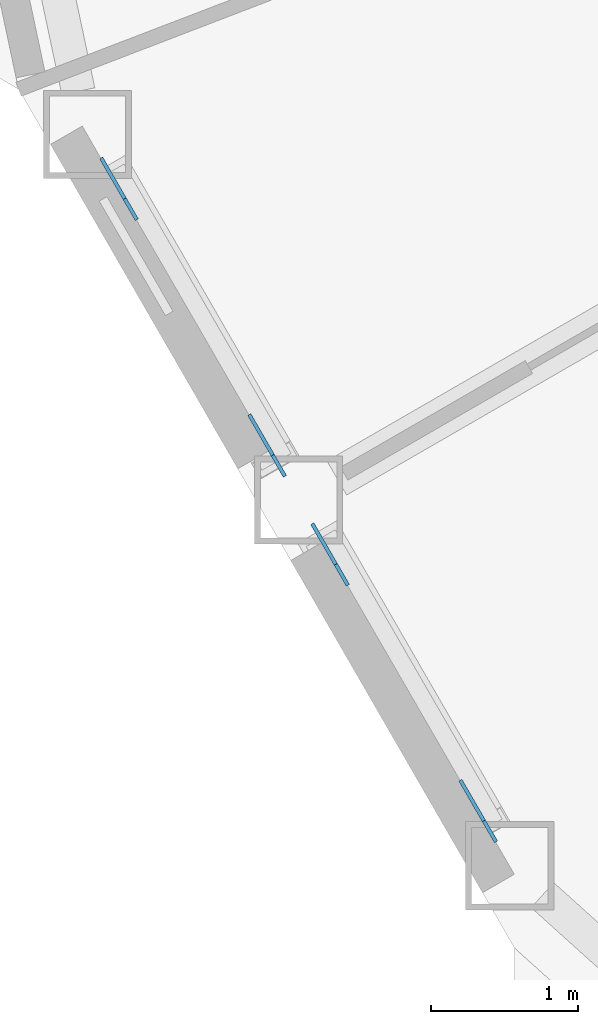
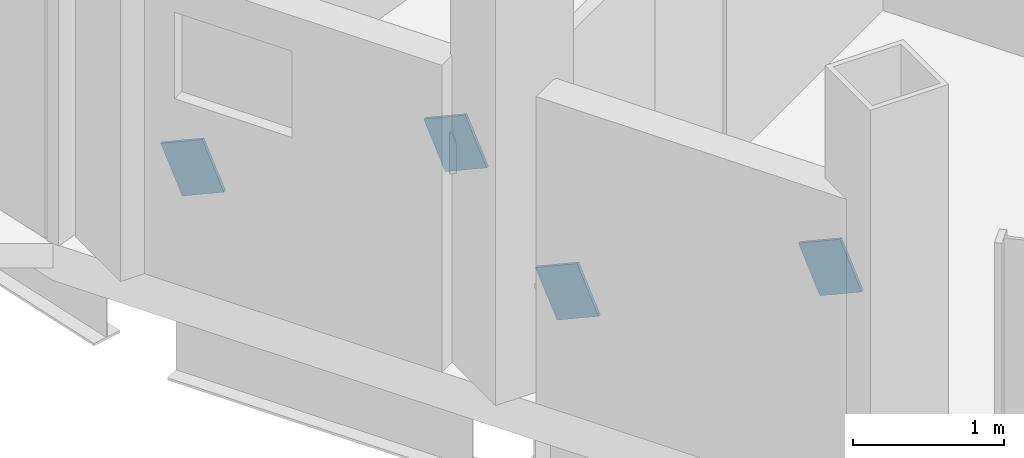
# One storey, part 20 of 27: 4 discrete accessories.
"""IFC4 building model written with IfcOpenShell, lengths in metres."""

import ifcopenshell
import ifcopenshell.guid

model = None  # the IFC model being written
_history = None  # IfcOwnerHistory: only IFC2X3 demands one
_inside = {}  # id of a spatial element -> (the spatial element, [elements in it])
_under = {}  # id of a project, library or spatial element -> (it, [spatial elements below it])
_declared = {}  # id of a project -> (the project, [libraries it declares])
_typed = {}  # id of a type object -> (the type object, [elements of that type])
_made_of = {}  # id of a material, layer set ... -> (it, [elements and type objects made of it])


def new_model(schema):
    """Start an empty IFC model of exactly this schema.

    Asked for "IFC4X3", IfcOpenShell would pick the latest addendum, in which some entities
    have other attributes; the version numbers below select the first issue.
    IFC2X3 requires an IfcOwnerHistory on every rooted entity: one is made here for all.
    """
    global model, _history
    if schema == "IFC4X3":
        model = ifcopenshell.file(schema_version=(4, 3, 0, 0))
    else:
        model = ifcopenshell.file(schema=schema)
    _inside.clear()
    _under.clear()
    _declared.clear()
    _typed.clear()
    _made_of.clear()
    _history = None
    if model.schema == "IFC2X3":
        org = make("IfcOrganization", Name="unknown")
        user = make(
            "IfcPersonAndOrganization",
            ThePerson=make("IfcPerson", FamilyName="unknown"),
            TheOrganization=org,
        )
        app = make(
            "IfcApplication",
            ApplicationDeveloper=org,
            Version="unknown",
            ApplicationFullName="unknown",
            ApplicationIdentifier="unknown",
        )
        _history = make(
            "IfcOwnerHistory",
            OwningUser=user,
            OwningApplication=app,
            ChangeAction="ADDED",
            CreationDate=0,
        )
    return model


def make(cls, **values):
    """One entity of the class cls with the attributes given. An attribute that is None is left unset."""
    return model.create_entity(
        cls, **{name: value for name, value in values.items() if value is not None}
    )


def rooted(cls, **values):
    """An entity with a GlobalId (a new one), such as an element, a storey or a relation."""
    return make(cls, GlobalId=ifcopenshell.guid.new(), OwnerHistory=_history, **values)


def si_unit(unit_type, name, prefix=None):
    """IfcSIUnit, for example si_unit("LENGTHUNIT", "METRE", prefix="MILLI")."""
    return make("IfcSIUnit", UnitType=unit_type, Prefix=prefix, Name=name)


def assignment(units):
    """IfcUnitAssignment: the units of a project."""
    return None if units is None else make("IfcUnitAssignment", Units=units)


def point(xyz):
    """IfcCartesianPoint."""
    return None if xyz is None else make("IfcCartesianPoint", Coordinates=xyz)


def direction(xyz):
    """IfcDirection."""
    return None if xyz is None else make("IfcDirection", DirectionRatios=xyz)


def frame(location, z_axis=None, x_axis=None):
    """IfcAxis2Placement3D, a coordinate frame: its origin and axes. An axis left out is left unset."""
    return make(
        "IfcAxis2Placement3D",
        Location=point(location),
        Axis=direction(z_axis),
        RefDirection=direction(x_axis),
    )


def frame_2d(location, x_axis=None):
    """IfcAxis2Placement2D, a coordinate frame in the plane: its origin and x axis."""
    return make(
        "IfcAxis2Placement2D", Location=point(location), RefDirection=direction(x_axis)
    )


def origin():
    """The frame at (0, 0, 0) with its axes left unset."""
    return frame((0.0, 0.0, 0.0))


def origin_2d():
    """The frame at (0, 0) in the plane with its x axis left unset."""
    return frame_2d((0.0, 0.0))


def place(relative_to, where):
    """IfcLocalPlacement: puts the frame where relative to a parent placement (None: the world)."""
    return make(
        "IfcLocalPlacement", PlacementRelTo=relative_to, RelativePlacement=where
    )


def context(
    kind, dimensions, precision=None, world=None, true_north=None, identifier=None
):
    """IfcGeometricRepresentationContext, for example the 3D "Model" context."""
    return make(
        "IfcGeometricRepresentationContext",
        ContextIdentifier=identifier,
        ContextType=kind,
        CoordinateSpaceDimension=dimensions,
        Precision=precision,
        WorldCoordinateSystem=world,
        TrueNorth=true_north,
    )


def subcontext(parent, identifier, kind, view, scale=None):
    """IfcGeometricRepresentationSubContext, for example "Body" below "Model"."""
    return make(
        "IfcGeometricRepresentationSubContext",
        ContextIdentifier=identifier,
        ContextType=kind,
        ParentContext=parent,
        TargetScale=scale,
        TargetView=view,
    )


def project(units=None, contexts=None):
    """IfcProject with its units and contexts."""
    return rooted(
        "IfcProject",
        Name="project",
        RepresentationContexts=contexts,
        UnitsInContext=assignment(units),
    )


def spatial(cls, under=None, at=None, **own):
    """A site, building, storey or space (cls), placed at a placement, below another one or the project."""
    s = rooted(cls, ObjectPlacement=at, **own)
    if under is not None:
        _under.setdefault(under.id(), (under, []))[1].append(s)
    return s


def profile(cls, at=None, kind="AREA", **sizes):
    """A parametric profile (cls). Its sizes go by their IFC names, for example OverallWidth=200.0."""
    return make(cls, ProfileType=kind, Position=at, **sizes)


def rectangle(**sizes):
    """IfcRectangleProfileDef."""
    return profile("IfcRectangleProfileDef", **sizes)


def extrude(swept, where, along, depth):
    """IfcExtrudedAreaSolid: the profile swept, set in the frame where, extruded along a direction by depth."""
    return make(
        "IfcExtrudedAreaSolid",
        SweptArea=swept,
        Position=where,
        ExtrudedDirection=direction(along),
        Depth=depth,
    )


def shape(context_of_items, identifier, shape_type, items):
    """IfcShapeRepresentation: the items that make up one representation, for example the "Body"."""
    return make(
        "IfcShapeRepresentation",
        ContextOfItems=context_of_items,
        RepresentationIdentifier=identifier,
        RepresentationType=shape_type,
        Items=items,
    )


def material(Name=None, Category=None):
    """IfcMaterial."""
    return make("IfcMaterial", Name=Name, Category=Category)


def material_profile(
    of_material, cross_section, Name=None, Category=None, Priority=None
):
    """IfcMaterialProfile: a cross section and its material."""
    return make(
        "IfcMaterialProfile",
        Name=Name,
        Material=of_material,
        Profile=cross_section,
        Priority=Priority,
        Category=Category,
    )


def profile_set(profiles, Name=None, composite=None):
    """IfcMaterialProfileSet."""
    return make(
        "IfcMaterialProfileSet",
        Name=Name,
        MaterialProfiles=profiles,
        CompositeProfile=composite,
    )


def made_of(thing, what):
    """Note that an element or type object is made of a material, layer set ...; save() writes the relation."""
    if what is not None:
        _made_of.setdefault(what.id(), (what, []))[1].append(thing)
    return thing


def type_object(cls, material=None, **own):
    """A type object (cls), such as IfcWallType, which elements share."""
    return made_of(rooted(cls, **own), material)


def element(
    cls,
    number,
    at=None,
    inside=None,
    cuts=None,
    type_object=None,
    material=None,
    context=None,
    identifier="Body",
    shape_type=None,
    held_by="IfcProductDefinitionShape",
    body=None,
    shapes=None,
    **own,
):
    """One element of the class cls, such as IfcWall. Its Tag is "e" and its number.

    at: its placement. inside: the storey or other place that contains it. cuts: it is an
    opening in that element (IfcRelVoidsElement). A single representation is given by context,
    identifier, shape_type and body (its items); several are given by shapes. held_by: the class
    of the entity that holds the representations. save() writes the other relations.
    """
    e = rooted(cls, Tag="e%d" % number, ObjectPlacement=at, **own)
    if body is not None:
        shapes = [shape(context, identifier, shape_type, body)]
    if shapes is not None:
        e.Representation = make(held_by, Representations=shapes)
    if inside is not None:
        _inside.setdefault(inside.id(), (inside, []))[1].append(e)
    if cuts is not None:
        rooted(
            "IfcRelVoidsElement", RelatingBuildingElement=cuts, RelatedOpeningElement=e
        )
    if type_object is not None:
        _typed.setdefault(type_object.id(), (type_object, []))[1].append(e)
    return made_of(e, material)


def aggregate(whole, parts):
    """IfcRelAggregates: a whole, such as a stair, and the parts it consists of."""
    return rooted("IfcRelAggregates", RelatingObject=whole, RelatedObjects=parts)


def save(model, path):
    """Write the relations noted so far, then the file.

    IfcRelAggregates (storeys below a building ...), IfcRelContainedInSpatialStructure (elements
    in a storey), IfcRelDefinesByType, IfcRelAssociatesMaterial and IfcRelDeclares: one each for
    every whole, place, type object, material and project.
    """
    for whole, parts in _under.values():
        aggregate(whole, parts)
    for where, things in _inside.values():
        rooted(
            "IfcRelContainedInSpatialStructure",
            RelatedElements=things,
            RelatingStructure=where,
        )
    for kind, things in _typed.values():
        rooted("IfcRelDefinesByType", RelatedObjects=things, RelatingType=kind)
    for what, things in _made_of.values():
        rooted("IfcRelAssociatesMaterial", RelatedObjects=things, RelatingMaterial=what)
    for by, libraries in _declared.values():
        rooted("IfcRelDeclares", RelatingContext=by, RelatedDefinitions=libraries)
    model.write(path)


model = new_model("IFC4")

# Units and contexts
model_context = context("Model", 3, precision=1e-05, world=origin(), true_north=direction((0.0, 1.0)))
body_context = subcontext(model_context, "Body", "Model", "MODEL_VIEW")
ifc_project = project(units=[si_unit("LENGTHUNIT", "METRE"), si_unit("AREAUNIT", "SQUARE_METRE"), si_unit("VOLUMEUNIT", "CUBIC_METRE"), si_unit("PLANEANGLEUNIT", "RADIAN"), si_unit("MASSUNIT", "GRAM", prefix="KILO")], contexts=[model_context])

# Site, building, storey
site_placement = place(None, origin())
site = spatial("IfcSite", under=ifc_project, at=site_placement, CompositionType="ELEMENT")
building_placement = place(site_placement, origin())
building = spatial("IfcBuilding", under=site, at=building_placement, Name="Cormorant Prow Tower", CompositionType="ELEMENT")
storey_placement = place(building_placement, frame((0.0, 0.0, 318.800048828125)))
storey = spatial("IfcBuildingStorey", under=building, at=storey_placement, Name="L70", CompositionType="ELEMENT", Elevation=318.800048828125)

# Discrete accessories
ifc_material = material(Name="Structural steel ASTM A500 Gr C", Category="steel")
ifc_material_profile = material_profile(ifc_material, rectangle(XDim=0.02490234375, YDim=0.405029296875, at=origin_2d()), Name="Gusset plate 25x405")
ifc_profile_set = profile_set([ifc_material_profile], Name="Structural steel ASTM A500 Gr C")
discrete_accessory_type = type_object("IfcDiscreteAccessoryType", Name="Gusset plate 25x405", PredefinedType="BRACKET", material=ifc_profile_set)
for number, where, z_axis, x_axis, name in (
    (1, (-28.574951171875, -13.85888671875, 0.86376953125), (-0.456239480558, 0.790396531303, -0.408801736402), (-0.866071029786, -0.499920965119, 0.0), "Gusset plate GP3 L70.WSW00.g0"),
    (2, (-27.7265625, -15.328369140625, 1.6240234375), (0.456239480558, -0.790396531303, 0.408801736402), (0.866071029786, 0.499920965119, 0.0), "Gusset plate GP3 L70.WSW00.g1"),
    (3, (-27.137939453125, -16.34765625, 0.86376953125), (-0.45649114423, 0.790134518758, -0.409027233209), (-0.865879799044, -0.500252110048, 0.0), "Gusset plate GP3 L70.WSW01.g0"),
):
    element("IfcDiscreteAccessory", number, at=place(storey_placement, frame(where, z_axis=z_axis, x_axis=x_axis)), inside=storey, type_object=discrete_accessory_type, Name=name, PredefinedType="BRACKET", context=body_context, shape_type="SweptSolid", body=[
        extrude(rectangle(XDim=0.02490234375, YDim=0.405029296875, at=origin_2d()), origin(), (0.0, 0.0, 1.0), 0.349853515625),
    ])
discrete_accessory_placement = place(storey_placement, frame((-26.289794921875, -17.817138671875, 1.6240234375), z_axis=(0.456791619277, -0.790144892581, 0.408671586101), x_axis=(0.865740004385, 0.50049400077, 0.0)))
element("IfcDiscreteAccessory", 4, at=discrete_accessory_placement, inside=storey, type_object=discrete_accessory_type, Name="Gusset plate GP3 L70.WSW01.g1", PredefinedType="BRACKET", context=body_context, shape_type="SweptSolid", body=[
    extrude(rectangle(XDim=0.02490234375, YDim=0.405029296875, at=origin_2d()), origin(), (0.0, 0.0, 1.0), 0.35009765625),
])

save(model, "model.ifc")
